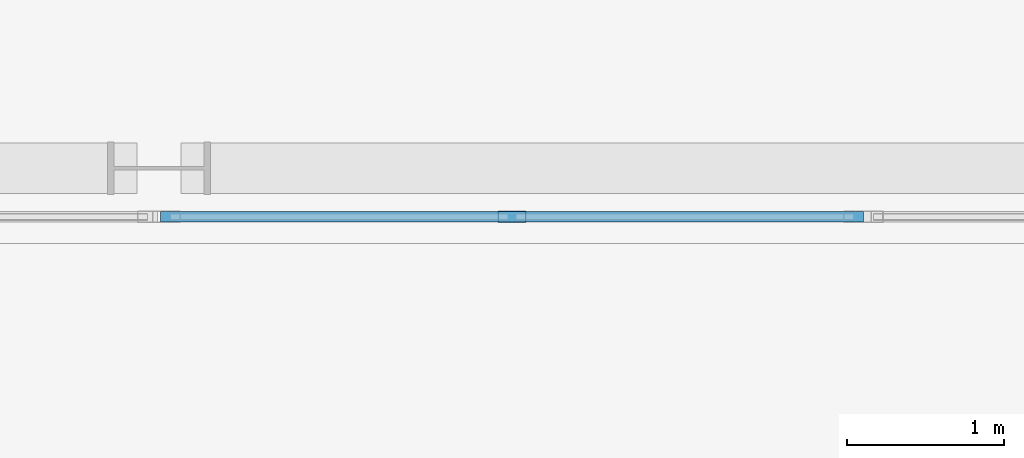
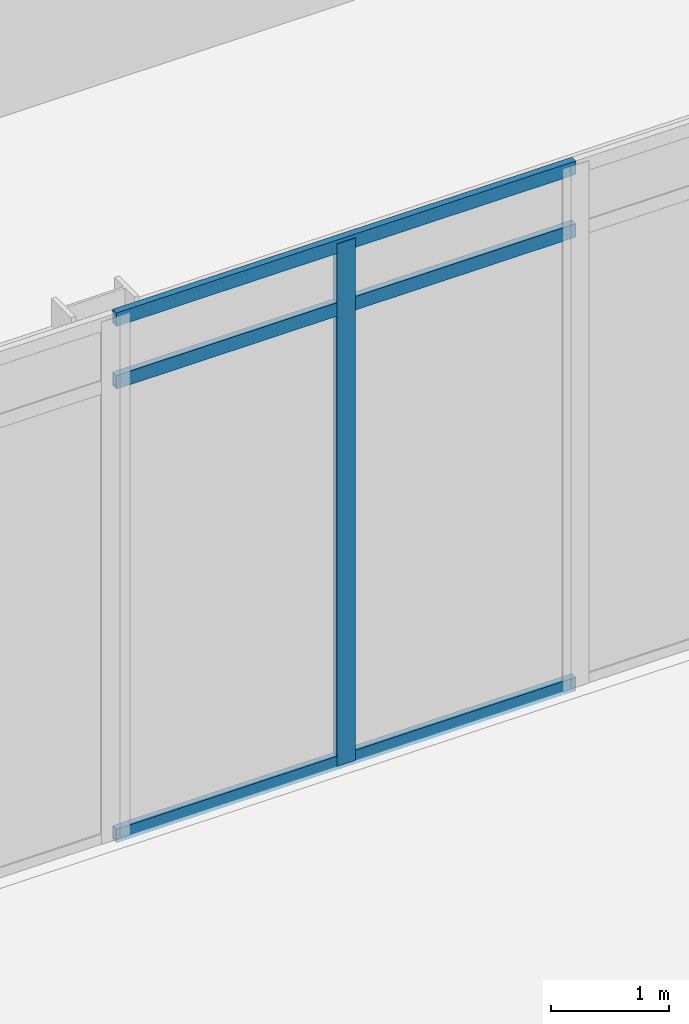
# One storey, part 47 of 94: 4 members, 1 element without a shape of its own.
"""IFC4 building model written with IfcOpenShell, lengths in metres."""

from ifc_helpers import new_model, si_unit, direction, frame, origin, origin_2d, place, context, subcontext, project, spatial, hollow_rectangle, extrude, material, layer, layer_set, material_profile, profile_set, type_object, element, aggregate, save


model = new_model("IFC4")

# Units and contexts
model_context = context("Model", 3, precision=1e-05, world=origin(), true_north=direction((0.0, 1.0)))
body_context = subcontext(model_context, "Body", "Model", "MODEL_VIEW")
ifc_project = project(units=[si_unit("LENGTHUNIT", "METRE"), si_unit("AREAUNIT", "SQUARE_METRE"), si_unit("VOLUMEUNIT", "CUBIC_METRE"), si_unit("PLANEANGLEUNIT", "RADIAN"), si_unit("MASSUNIT", "GRAM", prefix="KILO")], contexts=[model_context])

# Site, building, storey
site_placement = place(None, origin())
site = spatial("IfcSite", under=ifc_project, at=site_placement, CompositionType="ELEMENT")
building_placement = place(site_placement, origin())
building = spatial("IfcBuilding", under=site, at=building_placement, Name="Sollismere Congress Hotel", CompositionType="ELEMENT")
storey_placement = place(building_placement, origin())
storey = spatial("IfcBuildingStorey", under=building, at=storey_placement, Name="L00", CompositionType="ELEMENT", Elevation=0.0)

# Curtain wall, members
ifc_material_1 = material(Name="Anodized Bronze Curtain Wall & Low-E Triple Glazing", Category="glass")
ifc_layer = layer(ifc_material_1, 0.199951171875, Name="Anodized Bronze Curtain Wall & Low-E Triple Glazing")
ifc_layer_set = layer_set([ifc_layer], Name="Anodized Bronze Curtain Wall & Low-E Triple Glazing")
curtain_wall_type = type_object("IfcCurtainWallType", Name="CW-GLZ36", PredefinedType="USERDEFINED", material=ifc_layer_set)
curtain_wall_placement = place(storey_placement, origin())
curtain_wall = element("IfcCurtainWall", 1, at=curtain_wall_placement, inside=storey, type_object=curtain_wall_type, Name="Unitised curtain wall CW-L00-075", ObjectType="UNITISED CURTAIN WALL", PredefinedType="USERDEFINED")
ifc_material_2 = material(Name="Anodized Aluminum 6063-T6", Category="aluminium")
ifc_material_profile_1 = material_profile(ifc_material_2, hollow_rectangle(XDim=0.074951171875, YDim=0.179931640625, WallThickness=0.0048828125, at=origin_2d()), Name="ALU180X75X5")
ifc_profile_set_1 = profile_set([ifc_material_profile_1], Name="Anodized Aluminum 6063-T6")
member_type_1 = type_object("IfcMemberType", Name="ML-CW180", PredefinedType="MULLION", material=ifc_profile_set_1)
member_1_placement = place(storey_placement, frame((78.2548828125, 66.489990234375, 0.0), z_axis=(0.0, 0.0, 1.0), x_axis=(0.0, 1.0, 0.0)))
member_1 = element("IfcMember", 2, at=member_1_placement, type_object=member_type_1, Name="CWL-CW-L00-075-ML02", PredefinedType="MULLION", context=body_context, shape_type="SweptSolid", body=[
    extrude(hollow_rectangle(XDim=0.074951171875, YDim=0.179931640625, WallThickness=0.0048828125, at=origin_2d()), origin(), (0.0, 0.0, 1.0), 5.39990234375),
])
ifc_material_profile_2 = material_profile(ifc_material_2, hollow_rectangle(XDim=0.06494140625, YDim=0.139892578125, WallThickness=0.00390625, at=origin_2d()), Name="ALU140X65X4")
ifc_profile_set_2 = profile_set([ifc_material_profile_2], Name="Anodized Aluminum 6063-T6")
member_type_2 = type_object("IfcMemberType", Name="TR-CW150", PredefinedType="MEMBER", material=ifc_profile_set_2)
member_2_placement = place(storey_placement, frame((76.010009765625, 66.489990234375, 0.032470703125), z_axis=(1.0, 0.0, 0.0), x_axis=(0.0, 1.0, 0.0)))
member_2 = element("IfcMember", 3, at=member_2_placement, type_object=member_type_2, Name="CWL-CW-L00-075-TR1", PredefinedType="MEMBER", context=body_context, shape_type="SweptSolid", body=[
    extrude(hollow_rectangle(XDim=0.06494140625, YDim=0.139892578125, WallThickness=0.00390625, at=origin_2d()), origin(), (0.0, 0.0, 1.0), 4.489990234375),
])
member_3_placement = place(storey_placement, frame((76.010009765625, 66.489990234375, 4.719970703125), z_axis=(1.0, 0.0, 0.0), x_axis=(0.0, 1.0, 0.0)))
member_3 = element("IfcMember", 4, at=member_3_placement, type_object=member_type_2, Name="CWL-CW-L00-075-TR2", PredefinedType="MEMBER", context=body_context, shape_type="SweptSolid", body=[
    extrude(hollow_rectangle(XDim=0.06494140625, YDim=0.139892578125, WallThickness=0.00390625, at=origin_2d()), origin(), (0.0, 0.0, 1.0), 4.489990234375),
])
member_4_placement = place(storey_placement, frame((76.010009765625, 66.489990234375, 5.367431640625), z_axis=(1.0, 0.0, 0.0), x_axis=(0.0, 1.0, 0.0)))
member_4 = element("IfcMember", 5, at=member_4_placement, type_object=member_type_2, Name="CWL-CW-L00-075-TR3", PredefinedType="MEMBER", context=body_context, shape_type="SweptSolid", body=[
    extrude(hollow_rectangle(XDim=0.06494140625, YDim=0.139892578125, WallThickness=0.00390625, at=origin_2d()), origin(), (0.0, 0.0, 1.0), 4.489990234375),
])
aggregate(curtain_wall, [member_1, member_2, member_3, member_4])

save(model, "model.ifc")
